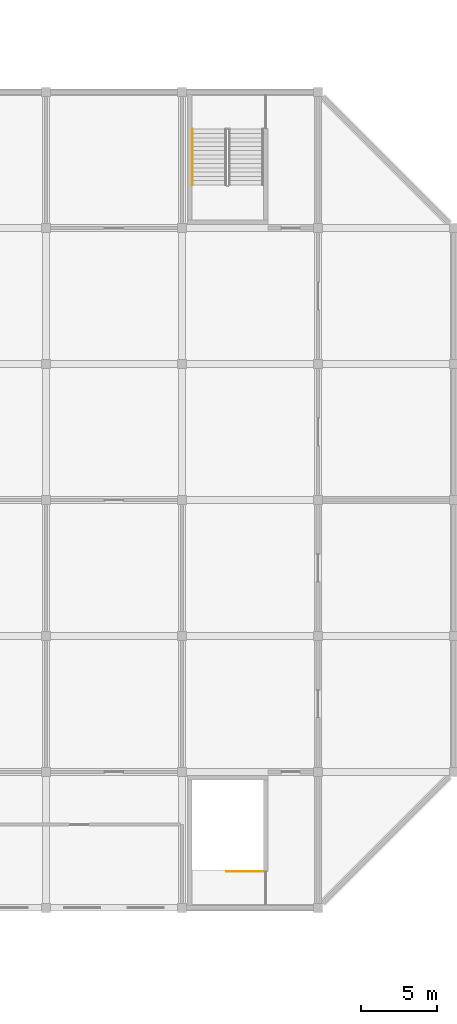
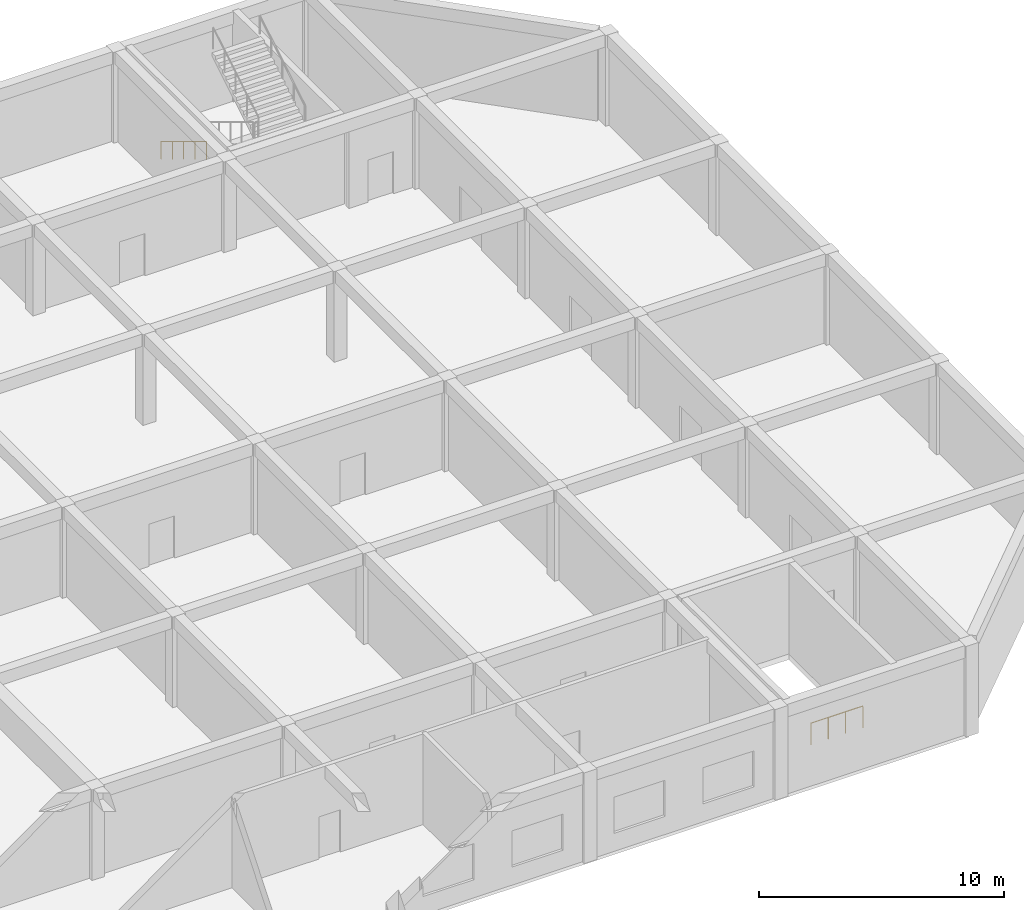
# One storey, part 25 of 26: 2 railings.
"""IFC4 building model written with IfcOpenShell, lengths in metres."""

from ifc_helpers import new_model, si_unit, direction, frame, origin, origin_2d, place, context, subcontext, project, spatial, circle, extrude, material, type_object, element, save


model = new_model("IFC4")

# Units and contexts
model_context = context("Model", 3, precision=1e-05, world=origin(), true_north=direction((0.0, 1.0)))
body_context = subcontext(model_context, "Body", "Model", "MODEL_VIEW")
ifc_project = project(units=[si_unit("LENGTHUNIT", "METRE"), si_unit("AREAUNIT", "SQUARE_METRE"), si_unit("VOLUMEUNIT", "CUBIC_METRE"), si_unit("PLANEANGLEUNIT", "RADIAN"), si_unit("MASSUNIT", "GRAM", prefix="KILO")], contexts=[model_context])

# Site, building, storey
site_placement = place(None, origin())
site = spatial("IfcSite", under=ifc_project, at=site_placement, CompositionType="ELEMENT")
building_placement = place(site_placement, origin())
building = spatial("IfcBuilding", under=site, at=building_placement, Name="Dhurran Vertical Campus", CompositionType="ELEMENT")
storey_placement = place(building_placement, frame((0.0, 0.0, 15.60009765625)))
storey = spatial("IfcBuildingStorey", under=building, at=storey_placement, Name="L03", CompositionType="ELEMENT", Elevation=15.60009765625)

# Railings
ifc_material_1 = material(Name="Steel S355J2H", Category="steel")
railing_type_1 = type_object("IfcRailingType", Name="hl-stair guard 1100", PredefinedType="GUARDRAIL", material=ifc_material_1)
railing_1_placement = place(storey_placement, frame((120.89990234375, -24.60009765625, 0.0)))
element("IfcRailing", 1, at=railing_1_placement, inside=storey, type_object=railing_type_1, Name="L03 HST4 top well guard 1", PredefinedType="GUARDRAIL", context=body_context, shape_type="SweptSolid", body=[
    extrude(circle(Radius=0.02392578125, at=origin_2d()), frame((0.0, 0.0, 1.076171875), z_axis=(-1.0, 0.0, 0.0), x_axis=(0.0, -1.0, 0.0)), (0.0, 0.0, 1.0), 2.449951171875),
    extrude(circle(Radius=0.02099609375, at=origin_2d()), origin(), (0.0, 0.0, 1.0), 1.052001953125),
    extrude(circle(Radius=0.02099609375, at=origin_2d()), frame((-0.816650390625, 0.0, 0.0)), (0.0, 0.0, 1.0), 1.052001953125),
    extrude(circle(Radius=0.02099609375, at=origin_2d()), frame((-1.63330078125, 0.0, 0.0)), (0.0, 0.0, 1.0), 1.052001953125),
    extrude(circle(Radius=0.02099609375, at=origin_2d()), frame((-2.449951171875, 0.0, 0.0)), (0.0, 0.0, 1.0), 1.052001953125),
])
ifc_material_2 = material(Name="Steel S355J2H", Category="steel")
railing_type_2 = type_object("IfcRailingType", Name="hl-stair handrail", PredefinedType="HANDRAIL", material=ifc_material_2)
railing_2_placement = place(storey_placement, frame((116.199951171875, 24.550048828125, 0.17138671875)))
element("IfcRailing", 2, at=railing_2_placement, inside=storey, type_object=railing_type_2, Name="L03 HST2 stair handrail 1", PredefinedType="HANDRAIL", context=body_context, shape_type="SweptSolid", body=[
    extrude(circle(Radius=0.02392578125, at=origin_2d()), frame((0.0, 0.0, 0.8759765625), z_axis=(0.0, -0.85613627591, 0.516750110858), x_axis=(1.0, 0.0, 0.0)), (0.0, 0.0, 1.0), 4.3125),
    extrude(circle(Radius=0.02099609375, at=origin_2d()), origin(), (0.0, 0.0, 1.0), 0.851806640625),
    extrude(circle(Radius=0.02099609375, at=origin_2d()), frame((0.0, -0.923095703125, 0.55712890625)), (0.0, 0.0, 1.0), 0.851806640625),
    extrude(circle(Radius=0.02099609375, at=origin_2d()), frame((0.0, -1.84619140625, 1.1142578125)), (0.0, 0.0, 1.0), 0.851806640625),
    extrude(circle(Radius=0.02099609375, at=origin_2d()), frame((0.0, -2.76904296875, 1.67138671875)), (0.0, 0.0, 1.0), 0.851806640625),
    extrude(circle(Radius=0.02099609375, at=origin_2d()), frame((0.0, -3.692138671875, 2.228515625)), (0.0, 0.0, 1.0), 0.851806640625),
])

save(model, "model.ifc")
